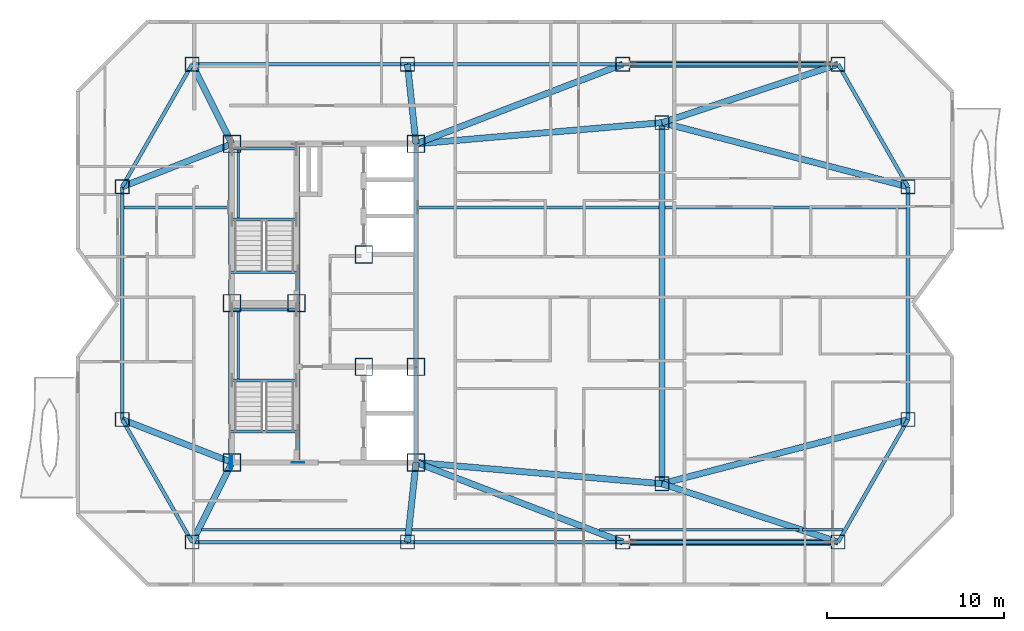
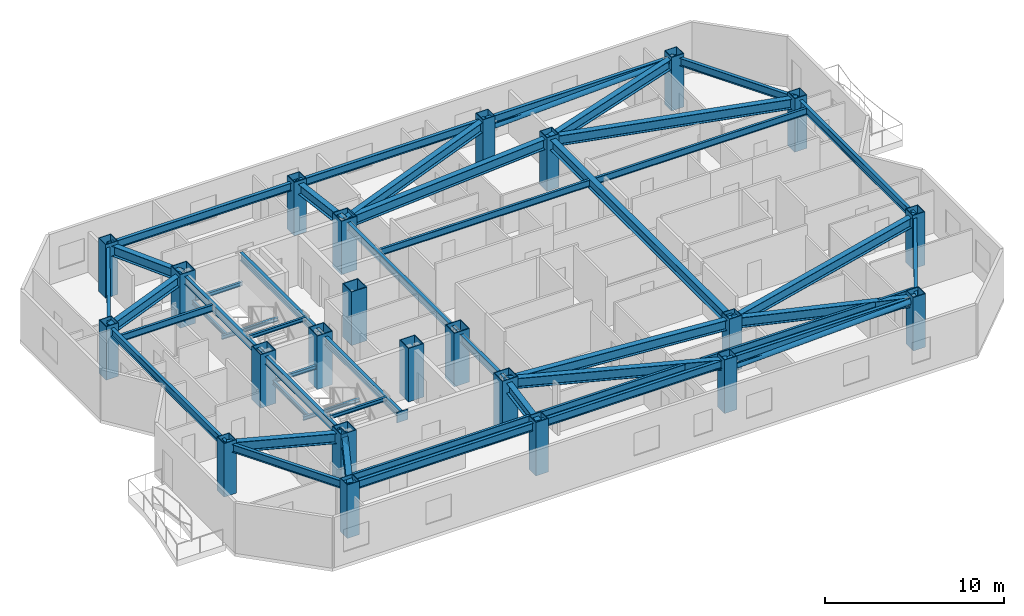
# One storey, part 1 of 10: 48 beams, 23 columns, 3 plates, 2 members.
"""IFC4 building model written with IfcOpenShell, lengths in metres."""

from ifc_helpers import new_model, si_unit, direction, frame, origin, origin_2d, place, context, subcontext, project, spatial, rectangle, hollow_rectangle, hollow_circle, i_section, extrude, material, layer, layer_set, material_profile, profile_set, type_object, element, save


model = new_model("IFC4")

# Units and contexts
model_context = context("Model", 3, precision=1e-05, world=origin(), true_north=direction((0.0, 1.0)))
body_context = subcontext(model_context, "Body", "Model", "MODEL_VIEW")
ifc_project = project(units=[si_unit("LENGTHUNIT", "METRE"), si_unit("AREAUNIT", "SQUARE_METRE"), si_unit("VOLUMEUNIT", "CUBIC_METRE"), si_unit("PLANEANGLEUNIT", "RADIAN"), si_unit("MASSUNIT", "GRAM", prefix="KILO")], contexts=[model_context])

# Site, building, storey
site_placement = place(None, origin())
site = spatial("IfcSite", under=ifc_project, at=site_placement, CompositionType="ELEMENT")
building_placement = place(site_placement, origin())
building = spatial("IfcBuilding", under=site, at=building_placement, Name="Khamvora Tower", CompositionType="ELEMENT")
storey_placement = place(building_placement, frame((0.0, 0.0, 250.050048828125)))
storey = spatial("IfcBuildingStorey", under=building, at=storey_placement, Name="L64", CompositionType="ELEMENT", Elevation=250.050048828125)

# Columns
ifc_material_1 = material(Name="Steel S355", Category="steel")
ifc_material_profile_1 = material_profile(ifc_material_1, hollow_rectangle(XDim=0.800048828125, YDim=0.800048828125, WallThickness=0.0400390625, at=origin_2d()), Name="BOX800x800x40")
ifc_profile_set_1 = profile_set([ifc_material_profile_1], Name="Steel S355")
column_type_1 = type_object("IfcColumnType", Name="COL-BOX800", PredefinedType="COLUMN", material=ifc_profile_set_1)
for number, where, z_axis, x_axis, name in (
    (1, (26.75, 14.5, 0.0), (0.0, 0.0, 1.0), (1.0, 0.0, 0.0), "L64 structural frame column S1"),
    (2, (38.9169921875, 14.5, 0.0), (0.0, 0.0, 1.0), (1.0, 0.0, 0.0), "L64 structural frame column S2"),
    (3, (51.0830078125, 14.5, 0.0), (0.0, 0.0, 1.0), (1.0, 0.0, 0.0), "L64 structural frame column S3"),
    (4, (63.25, 14.5, 0.0), (0.0, 0.0, 1.0), (1.0, 0.0, 0.0), "L64 structural frame column S4"),
    (5, (26.75, 41.5, 0.0), (0.0, 0.0, 1.0), (1.0, 0.0, 0.0), "L64 structural frame column N1"),
    (6, (38.9169921875, 41.5, 0.0), (0.0, 0.0, 1.0), (1.0, 0.0, 0.0), "L64 structural frame column N2"),
    (7, (51.0830078125, 41.5, 0.0), (0.0, 0.0, 1.0), (1.0, 0.0, 0.0), "L64 structural frame column N3"),
    (8, (63.25, 41.5, 0.0), (0.0, 0.0, 1.0), (1.0, 0.0, 0.0), "L64 structural frame column N4"),
    (9, (22.800048828125, 21.425048828125, 0.0), (0.0, 0.0, 1.0), (1.0, 0.0, 0.0), "L64 structural frame column W1"),
    (10, (22.800048828125, 34.574951171875, 0.0), (0.0, 0.0, 1.0), (1.0, 0.0, 0.0), "L64 structural frame column W2"),
    (11, (67.199951171875, 21.425048828125, 0.0), (0.0, 0.0, 1.0), (1.0, 0.0, 0.0), "L64 structural frame column E1"),
    (12, (67.199951171875, 34.574951171875, 0.0), (0.0, 0.0, 1.0), (1.0, 0.0, 0.0), "L64 structural frame column E2"),
    (13, (53.300048828125, 17.800048828125, 0.0), (0.0, 0.0, 1.0), (1.0, 0.0, 0.0), "L64 structural frame column M1"),
    (14, (53.300048828125, 38.199951171875, 0.0), (0.0, 0.0, 1.0), (1.0, 0.0, 0.0), "L64 structural frame column M2"),
):
    element("IfcColumn", number, at=place(storey_placement, frame(where, z_axis=z_axis, x_axis=x_axis)), inside=storey, type_object=column_type_1, Name=name, PredefinedType="COLUMN", context=body_context, shape_type="SweptSolid", body=[
        extrude(hollow_rectangle(XDim=0.800048828125, YDim=0.800048828125, WallThickness=0.0400390625, at=origin_2d()), origin(), (0.0, 0.0, 1.0), 3.64990234375),
    ])
ifc_material_2 = material(Name="Structural Steel S460ML", Category="steel")
ifc_material_profile_2 = material_profile(ifc_material_2, hollow_rectangle(XDim=1.0, YDim=1.0, WallThickness=0.050048828125, at=origin_2d()), Name="BOX1000x1000x50")
ifc_profile_set_2 = profile_set([ifc_material_profile_2], Name="Structural Steel S460ML")
column_type_2 = type_object("IfcColumnType", Name="COL-SC-BOX1000", PredefinedType="COLUMN", material=ifc_profile_set_2)
for number, where, z_axis, x_axis, name in (
    (15, (29.0, 19.0, 0.0), (0.0, 0.0, 1.0), (1.0, 0.0, 0.0), "L64 plumb core spine column SC1"),
    (16, (32.64990234375, 28.0, 0.0), (0.0, 0.0, 1.0), (1.0, 0.0, 0.0), "L64 plumb core spine column SC2"),
    (17, (39.39990234375, 19.0, 0.0), (0.0, 0.0, 1.0), (1.0, 0.0, 0.0), "L64 plumb core spine column SC3"),
    (18, (29.0, 28.0, 0.0), (0.0, 0.0, 1.0), (1.0, 0.0, 0.0), "L64 plumb core spine column SC4"),
    (19, (36.449951171875, 24.39990234375, 0.0), (0.0, 0.0, 1.0), (1.0, 0.0, 0.0), "L64 plumb core spine column SC5"),
    (20, (39.39990234375, 24.39990234375, 0.0), (0.0, 0.0, 1.0), (1.0, 0.0, 0.0), "L64 plumb core spine column SC6"),
    (21, (29.0, 37.0, 0.0), (0.0, 0.0, 1.0), (1.0, 0.0, 0.0), "L64 plumb core spine column SC7"),
    (22, (36.449951171875, 30.75, 0.0), (0.0, 0.0, 1.0), (1.0, 0.0, 0.0), "L64 plumb core spine column SC8"),
    (23, (39.39990234375, 37.0, 0.0), (0.0, 0.0, 1.0), (1.0, 0.0, 0.0), "L64 plumb core spine column SC9"),
):
    element("IfcColumn", number, at=place(storey_placement, frame(where, z_axis=z_axis, x_axis=x_axis)), inside=storey, type_object=column_type_2, Name=name, PredefinedType="COLUMN", context=body_context, shape_type="SweptSolid", body=[
        extrude(hollow_rectangle(XDim=1.0, YDim=1.0, WallThickness=0.050048828125, at=origin_2d()), origin(), (0.0, 0.0, 1.0), 3.64990234375),
    ])

# Beams
ifc_material_profile_3 = material_profile(ifc_material_1, i_section(OverallWidth=0.154052734375, OverallDepth=0.458984375, WebThickness=0.009033203125, FlangeThickness=0.014892578125, FilletRadius=0.011962890625, at=origin_2d()), Name="W460x68")
ifc_profile_set_3 = profile_set([ifc_material_profile_3], Name="Steel S355")
beam_type_1 = type_object("IfcBeamType", Name="BM-JS-W460x68", PredefinedType="JOIST", material=ifc_profile_set_3)
beam_1_placement = place(storey_placement, frame((27.29296875, 15.199951171875, 3.199951171875), z_axis=(1.0, 0.0, 0.0), x_axis=(0.0, 1.0, 0.0)))
element("IfcBeam", 24, at=beam_1_placement, inside=storey, type_object=beam_type_1, Name="L64 secondary floor joist 01", PredefinedType="JOIST", context=body_context, shape_type="SweptSolid", body=[
    extrude(i_section(OverallWidth=0.154052734375, OverallDepth=0.458984375, WebThickness=0.009033203125, FlangeThickness=0.014892578125, FilletRadius=0.011962890625, at=origin_2d()), origin(), (0.0, 0.0, 1.0), 11.526123046875),
])
beam_2_placement = place(storey_placement, frame((39.166015625, 15.199951171875, 3.199951171875), z_axis=(1.0, 0.0, 0.0), x_axis=(0.0, 1.0, 0.0)))
element("IfcBeam", 25, at=beam_2_placement, inside=storey, type_object=beam_type_1, Name="L64 secondary floor joist 02", PredefinedType="JOIST", context=body_context, shape_type="SweptSolid", body=[
    extrude(i_section(OverallWidth=0.154052734375, OverallDepth=0.458984375, WebThickness=0.009033203125, FlangeThickness=0.014892578125, FilletRadius=0.011962890625, at=origin_2d()), origin(), (0.0, 0.0, 1.0), 9.611083984375),
])
beam_3_placement = place(storey_placement, frame((49.75390625, 15.199951171875, 3.199951171875), z_axis=(1.0, 0.0, 0.0), x_axis=(0.0, 1.0, 0.0)))
element("IfcBeam", 26, at=beam_3_placement, inside=storey, type_object=beam_type_1, Name="L64 secondary floor joist 03", PredefinedType="JOIST", context=body_context, shape_type="SweptSolid", body=[
    extrude(i_section(OverallWidth=0.154052734375, OverallDepth=0.458984375, WebThickness=0.009033203125, FlangeThickness=0.014892578125, FilletRadius=0.011962890625, at=origin_2d()), origin(), (0.0, 0.0, 1.0), 11.2900390625),
])
beam_4_placement = place(storey_placement, frame((61.23388671875, 15.199951171875, 3.199951171875), z_axis=(1.0, 0.0, 0.0), x_axis=(0.0, 1.0, 0.0)))
element("IfcBeam", 27, at=beam_4_placement, inside=storey, type_object=beam_type_1, Name="L64 secondary floor joist 04", PredefinedType="JOIST", context=body_context, shape_type="SweptSolid", body=[
    extrude(i_section(OverallWidth=0.154052734375, OverallDepth=0.458984375, WebThickness=0.009033203125, FlangeThickness=0.014892578125, FilletRadius=0.011962890625, at=origin_2d()), origin(), (0.0, 0.0, 1.0), 2.300048828125),
])
beam_5_placement = place(storey_placement, frame((22.89892578125, 33.39990234375, 3.199951171875), z_axis=(1.0, 0.0, 0.0), x_axis=(0.0, 1.0, 0.0)))
element("IfcBeam", 28, at=beam_5_placement, inside=storey, type_object=beam_type_1, Name="L64 secondary floor joist 05", PredefinedType="JOIST", context=body_context, shape_type="SweptSolid", body=[
    extrude(i_section(OverallWidth=0.154052734375, OverallDepth=0.458984375, WebThickness=0.009033203125, FlangeThickness=0.014892578125, FilletRadius=0.011962890625, at=origin_2d()), origin(), (0.0, 0.0, 1.0), 5.901123046875),
])
beam_6_placement = place(storey_placement, frame((39.4990234375, 33.39990234375, 3.199951171875), z_axis=(1.0, 0.0, 0.0), x_axis=(0.0, 1.0, 0.0)))
element("IfcBeam", 29, at=beam_6_placement, inside=storey, type_object=beam_type_1, Name="L64 secondary floor joist 06", PredefinedType="JOIST", context=body_context, shape_type="SweptSolid", body=[
    extrude(i_section(OverallWidth=0.154052734375, OverallDepth=0.458984375, WebThickness=0.009033203125, FlangeThickness=0.014892578125, FilletRadius=0.011962890625, at=origin_2d()), origin(), (0.0, 0.0, 1.0), 13.6279296875),
])
beam_7_placement = place(storey_placement, frame((53.471923828125, 33.39990234375, 3.199951171875), z_axis=(1.0, 0.0, 0.0), x_axis=(0.0, 1.0, 0.0)))
element("IfcBeam", 30, at=beam_7_placement, inside=storey, type_object=beam_type_1, Name="L64 secondary floor joist 07", PredefinedType="JOIST", context=body_context, shape_type="SweptSolid", body=[
    extrude(i_section(OverallWidth=0.154052734375, OverallDepth=0.458984375, WebThickness=0.009033203125, FlangeThickness=0.014892578125, FilletRadius=0.011962890625, at=origin_2d()), origin(), (0.0, 0.0, 1.0), 13.628173828125),
])
ifc_material_profile_4 = material_profile(ifc_material_1, i_section(OverallWidth=0.14697265625, OverallDepth=0.261962890625, WebThickness=0.007080078125, FlangeThickness=0.010986328125, FilletRadius=0.008056640625, at=origin_2d()), Name="W250x39")
ifc_profile_set_4 = profile_set([ifc_material_profile_4], Name="Steel S355")
beam_type_2 = type_object("IfcBeamType", Name="BM-LN-W250x39", PredefinedType="LINTEL", material=ifc_profile_set_4)
for number, where, z_axis, x_axis, name in (
    (31, (29.0, 23.635009765625, 1.493896484375), (1.0, 0.0, 0.0), (0.0, 1.0, 0.0), "L64 ST-01 half-landing support beam 1.1"),
    (32, (29.0, 27.6298828125, 1.493896484375), (1.0, 0.0, 0.0), (0.0, 1.0, 0.0), "L64 ST-01 half-landing support beam 1.2"),
):
    element("IfcBeam", number, at=place(storey_placement, frame(where, z_axis=z_axis, x_axis=x_axis)), inside=storey, type_object=beam_type_2, Name=name, PredefinedType="LINTEL", context=body_context, shape_type="SweptSolid", body=[
        extrude(i_section(OverallWidth=0.14697265625, OverallDepth=0.261962890625, WebThickness=0.007080078125, FlangeThickness=0.010986328125, FilletRadius=0.008056640625, at=origin_2d()), origin(), (0.0, 0.0, 1.0), 3.64990234375),
    ])
beam_8_placement = place(storey_placement, frame((29.35009765625, 23.635009765625, 1.493896484375), z_axis=(0.0, 1.0, 0.0), x_axis=(-1.0, 0.0, 0.0)))
element("IfcBeam", 33, at=beam_8_placement, inside=storey, type_object=beam_type_2, Name="L64 ST-01 half-landing edge stringer 1", PredefinedType="LINTEL", context=body_context, shape_type="SweptSolid", body=[
    extrude(i_section(OverallWidth=0.14697265625, OverallDepth=0.261962890625, WebThickness=0.007080078125, FlangeThickness=0.010986328125, FilletRadius=0.008056640625, at=origin_2d()), origin(), (0.0, 0.0, 1.0), 3.994873046875),
])
for number, where, z_axis, x_axis, name in (
    (34, (29.0, 32.735107421875, 1.493896484375), (1.0, 0.0, 0.0), (0.0, 1.0, 0.0), "L64 ST-02 half-landing support beam 1.1"),
    (35, (29.0, 36.72998046875, 1.493896484375), (1.0, 0.0, 0.0), (0.0, 1.0, 0.0), "L64 ST-02 half-landing support beam 1.2"),
):
    element("IfcBeam", number, at=place(storey_placement, frame(where, z_axis=z_axis, x_axis=x_axis)), inside=storey, type_object=beam_type_2, Name=name, PredefinedType="LINTEL", context=body_context, shape_type="SweptSolid", body=[
        extrude(i_section(OverallWidth=0.14697265625, OverallDepth=0.261962890625, WebThickness=0.007080078125, FlangeThickness=0.010986328125, FilletRadius=0.008056640625, at=origin_2d()), origin(), (0.0, 0.0, 1.0), 3.64990234375),
    ])
beam_9_placement = place(storey_placement, frame((29.35009765625, 32.735107421875, 1.493896484375), z_axis=(0.0, 1.0, 0.0), x_axis=(-1.0, 0.0, 0.0)))
element("IfcBeam", 36, at=beam_9_placement, inside=storey, type_object=beam_type_2, Name="L64 ST-02 half-landing edge stringer 1", PredefinedType="LINTEL", context=body_context, shape_type="SweptSolid", body=[
    extrude(i_section(OverallWidth=0.14697265625, OverallDepth=0.261962890625, WebThickness=0.007080078125, FlangeThickness=0.010986328125, FilletRadius=0.008056640625, at=origin_2d()), origin(), (0.0, 0.0, 1.0), 3.994873046875),
])
for number, where, z_axis, x_axis, name in (
    (37, (28.89990234375, 20.75, 3.303955078125), (1.0, 0.0, 0.0), (0.0, 1.0, 0.0), "L64 exit stair ST-01 landing trimmer beam"),
    (38, (28.89990234375, 29.75, 3.303955078125), (1.0, 0.0, 0.0), (0.0, 1.0, 0.0), "L64 exit stair ST-02 landing trimmer beam"),
):
    element("IfcBeam", number, at=place(storey_placement, frame(where, z_axis=z_axis, x_axis=x_axis)), inside=storey, type_object=beam_type_2, Name=name, PredefinedType="LINTEL", context=body_context, shape_type="SweptSolid", body=[
        extrude(i_section(OverallWidth=0.14697265625, OverallDepth=0.261962890625, WebThickness=0.007080078125, FlangeThickness=0.010986328125, FilletRadius=0.008056640625, at=origin_2d()), origin(), (0.0, 0.0, 1.0), 3.830078125),
    ])
ifc_material_profile_5 = material_profile(ifc_material_1, i_section(OverallWidth=0.35498046875, OverallDepth=0.695068359375, WebThickness=0.014892578125, FlangeThickness=0.02490234375, FilletRadius=0.01611328125, at=origin_2d()), Name="W690x217")
ifc_profile_set_5 = profile_set([ifc_material_profile_5], Name="Steel S355")
beam_type_3 = type_object("IfcBeamType", Name="BM-PG-W690x217", PredefinedType="BEAM", material=ifc_profile_set_5)
beam_10_placement = place(storey_placement, frame((53.300048828125, 17.800048828125, 3.08203125), z_axis=(0.0, 1.0, 0.0), x_axis=(-1.0, 0.0, 0.0)))
element("IfcBeam", 39, at=beam_10_placement, inside=storey, type_object=beam_type_3, Name="L64 longitudinal frame girder M1-M2", PredefinedType="BEAM", context=body_context, shape_type="SweptSolid", body=[
    extrude(i_section(OverallWidth=0.35498046875, OverallDepth=0.695068359375, WebThickness=0.014892578125, FlangeThickness=0.02490234375, FilletRadius=0.01611328125, at=origin_2d()), origin(), (0.0, 0.0, 1.0), 20.39990234375),
])
beam_11_placement = place(storey_placement, frame((29.0, 19.0, 3.08203125), z_axis=(-0.4472135955, -0.894427191, 0.0), x_axis=(0.894427191, -0.4472135955, 0.0)))
element("IfcBeam", 40, at=beam_11_placement, inside=storey, type_object=beam_type_3, Name="L64 primary floor girder S1", PredefinedType="BEAM", context=body_context, shape_type="SweptSolid", body=[
    extrude(i_section(OverallWidth=0.35498046875, OverallDepth=0.695068359375, WebThickness=0.014892578125, FlangeThickness=0.02490234375, FilletRadius=0.01611328125, at=origin_2d()), origin(), (0.0, 0.0, 1.0), 5.03125),
])
beam_12_placement = place(storey_placement, frame((39.39990234375, 19.0, 3.08203125), z_axis=(-0.106700735484, -0.994291181218, 0.0), x_axis=(0.994291181218, -0.106700735484, 0.0)))
element("IfcBeam", 41, at=beam_12_placement, inside=storey, type_object=beam_type_3, Name="L64 primary floor girder S2", PredefinedType="BEAM", context=body_context, shape_type="SweptSolid", body=[
    extrude(i_section(OverallWidth=0.35498046875, OverallDepth=0.695068359375, WebThickness=0.014892578125, FlangeThickness=0.02490234375, FilletRadius=0.01611328125, at=origin_2d()), origin(), (0.0, 0.0, 1.0), 4.52587890625),
])
beam_13_placement = place(storey_placement, frame((39.39990234375, 19.0, 3.08203125), z_axis=(0.933171601475, -0.359431164759, 0.0), x_axis=(0.359431164759, 0.933171601475, 0.0)))
element("IfcBeam", 42, at=beam_13_placement, inside=storey, type_object=beam_type_3, Name="L64 primary floor girder S3", PredefinedType="BEAM", context=body_context, shape_type="SweptSolid", body=[
    extrude(i_section(OverallWidth=0.35498046875, OverallDepth=0.695068359375, WebThickness=0.014892578125, FlangeThickness=0.02490234375, FilletRadius=0.01611328125, at=origin_2d()), origin(), (0.0, 0.0, 1.0), 12.519775390625),
])
beam_14_placement = place(storey_placement, frame((53.300048828125, 17.800048828125, 3.08203125), z_axis=(0.949157330029, -0.314802101092, 0.0), x_axis=(0.314802101092, 0.949157330029, 0.0)))
element("IfcBeam", 43, at=beam_14_placement, inside=storey, type_object=beam_type_3, Name="L64 primary floor girder S4", PredefinedType="BEAM", context=body_context, shape_type="SweptSolid", body=[
    extrude(i_section(OverallWidth=0.35498046875, OverallDepth=0.695068359375, WebThickness=0.014892578125, FlangeThickness=0.02490234375, FilletRadius=0.01611328125, at=origin_2d()), origin(), (0.0, 0.0, 1.0), 10.48291015625),
])
beam_15_placement = place(storey_placement, frame((29.0, 37.0, 3.08203125), z_axis=(-0.4472135955, 0.894427191, 0.0), x_axis=(-0.894427191, -0.4472135955, 0.0)))
element("IfcBeam", 44, at=beam_15_placement, inside=storey, type_object=beam_type_3, Name="L64 primary floor girder N1", PredefinedType="BEAM", context=body_context, shape_type="SweptSolid", body=[
    extrude(i_section(OverallWidth=0.35498046875, OverallDepth=0.695068359375, WebThickness=0.014892578125, FlangeThickness=0.02490234375, FilletRadius=0.01611328125, at=origin_2d()), origin(), (0.0, 0.0, 1.0), 5.03125),
])
beam_16_placement = place(storey_placement, frame((39.39990234375, 37.0, 3.08203125), z_axis=(-0.106700735484, 0.994291181218, 0.0), x_axis=(-0.994291181218, -0.106700735484, 0.0)))
element("IfcBeam", 45, at=beam_16_placement, inside=storey, type_object=beam_type_3, Name="L64 primary floor girder N2", PredefinedType="BEAM", context=body_context, shape_type="SweptSolid", body=[
    extrude(i_section(OverallWidth=0.35498046875, OverallDepth=0.695068359375, WebThickness=0.014892578125, FlangeThickness=0.02490234375, FilletRadius=0.01611328125, at=origin_2d()), origin(), (0.0, 0.0, 1.0), 4.52587890625),
])
beam_17_placement = place(storey_placement, frame((39.39990234375, 37.0, 3.08203125), z_axis=(0.933171601475, 0.359431164759, 0.0), x_axis=(-0.359431164759, 0.933171601475, 0.0)))
element("IfcBeam", 46, at=beam_17_placement, inside=storey, type_object=beam_type_3, Name="L64 primary floor girder N3", PredefinedType="BEAM", context=body_context, shape_type="SweptSolid", body=[
    extrude(i_section(OverallWidth=0.35498046875, OverallDepth=0.695068359375, WebThickness=0.014892578125, FlangeThickness=0.02490234375, FilletRadius=0.01611328125, at=origin_2d()), origin(), (0.0, 0.0, 1.0), 12.519775390625),
])
beam_18_placement = place(storey_placement, frame((53.300048828125, 38.199951171875, 3.08203125), z_axis=(0.949157330029, 0.314802101092, 0.0), x_axis=(-0.314802101092, 0.949157330029, 0.0)))
element("IfcBeam", 47, at=beam_18_placement, inside=storey, type_object=beam_type_3, Name="L64 primary floor girder N4", PredefinedType="BEAM", context=body_context, shape_type="SweptSolid", body=[
    extrude(i_section(OverallWidth=0.35498046875, OverallDepth=0.695068359375, WebThickness=0.014892578125, FlangeThickness=0.02490234375, FilletRadius=0.01611328125, at=origin_2d()), origin(), (0.0, 0.0, 1.0), 10.48291015625),
])
for number, where, z_axis, x_axis, name in (
    (48, (29.0, 19.0, 3.08203125), (-0.931294712743, 0.36426660294, 0.0), (-0.36426660294, -0.931294712743, 0.0), "L64 primary floor girder W1"),
    (49, (29.0, 37.0, 3.08203125), (-0.931294712743, -0.36426660294, 0.0), (0.36426660294, -0.931294712743, 0.0), "L64 primary floor girder W2"),
):
    element("IfcBeam", number, at=place(storey_placement, frame(where, z_axis=z_axis, x_axis=x_axis)), inside=storey, type_object=beam_type_3, Name=name, PredefinedType="BEAM", context=body_context, shape_type="SweptSolid", body=[
        extrude(i_section(OverallWidth=0.35498046875, OverallDepth=0.695068359375, WebThickness=0.014892578125, FlangeThickness=0.02490234375, FilletRadius=0.01611328125, at=origin_2d()), origin(), (0.0, 0.0, 1.0), 6.6572265625),
    ])
for number, where, z_axis, x_axis, name in (
    (50, (53.300048828125, 17.800048828125, 3.08203125), (0.967635318494, 0.252352710314, 0.0), (-0.252352710314, 0.967635318494, 0.0), "L64 primary floor girder E1"),
    (51, (53.300048828125, 38.199951171875, 3.08203125), (0.967635318494, -0.252352710314, 0.0), (0.252352710314, 0.967635318494, 0.0), "L64 primary floor girder E2"),
):
    element("IfcBeam", number, at=place(storey_placement, frame(where, z_axis=z_axis, x_axis=x_axis)), inside=storey, type_object=beam_type_3, Name=name, PredefinedType="BEAM", context=body_context, shape_type="SweptSolid", body=[
        extrude(i_section(OverallWidth=0.35498046875, OverallDepth=0.695068359375, WebThickness=0.014892578125, FlangeThickness=0.02490234375, FilletRadius=0.01611328125, at=origin_2d()), origin(), (0.0, 0.0, 1.0), 14.36474609375),
    ])
for number, where, z_axis, x_axis, name in (
    (52, (39.39990234375, 19.0, 3.08203125), (0.996294564212, -0.08600663534, 0.0), (0.08600663534, 0.996294564212, 0.0), "L64 primary floor girder M1"),
    (53, (39.39990234375, 37.0, 3.08203125), (0.996294564212, 0.08600663534, 0.0), (-0.08600663534, 0.996294564212, 0.0), "L64 primary floor girder M2"),
):
    element("IfcBeam", number, at=place(storey_placement, frame(where, z_axis=z_axis, x_axis=x_axis)), inside=storey, type_object=beam_type_3, Name=name, PredefinedType="BEAM", context=body_context, shape_type="SweptSolid", body=[
        extrude(i_section(OverallWidth=0.35498046875, OverallDepth=0.695068359375, WebThickness=0.014892578125, FlangeThickness=0.02490234375, FilletRadius=0.01611328125, at=origin_2d()), origin(), (0.0, 0.0, 1.0), 13.951904296875),
    ])
ifc_material_profile_6 = material_profile(ifc_material_1, i_section(OverallWidth=0.208984375, OverallDepth=0.532958984375, WebThickness=0.010009765625, FlangeThickness=0.01611328125, FilletRadius=0.013916015625, at=origin_2d()), Name="W530x92")
ifc_profile_set_6 = profile_set([ifc_material_profile_6], Name="Steel S355")
beam_type_4 = type_object("IfcBeamType", Name="BM-SP-W530x92", PredefinedType="SPANDREL", material=ifc_profile_set_6)
beam_19_placement = place(storey_placement, frame((22.800048828125, 21.425048828125, 3.162841796875), z_axis=(0.495456118564, -0.868632968853, 0.0), x_axis=(0.868632968853, 0.495456118564, 0.0)))
element("IfcBeam", 54, at=beam_19_placement, inside=storey, type_object=beam_type_4, Name="L64 perimeter spandrel beam W1-S1", PredefinedType="SPANDREL", context=body_context, shape_type="SweptSolid", body=[
    extrude(i_section(OverallWidth=0.208984375, OverallDepth=0.532958984375, WebThickness=0.010009765625, FlangeThickness=0.01611328125, FilletRadius=0.013916015625, at=origin_2d()), origin(), (0.0, 0.0, 1.0), 7.972412109375),
])
beam_20_placement = place(storey_placement, frame((26.75, 14.5, 3.162841796875), z_axis=(1.0, 0.0, 0.0), x_axis=(0.0, 1.0, 0.0)))
element("IfcBeam", 55, at=beam_20_placement, inside=storey, type_object=beam_type_4, Name="L64 perimeter spandrel beam S1-S2", PredefinedType="SPANDREL", context=body_context, shape_type="SweptSolid", body=[
    extrude(i_section(OverallWidth=0.208984375, OverallDepth=0.532958984375, WebThickness=0.010009765625, FlangeThickness=0.01611328125, FilletRadius=0.013916015625, at=origin_2d()), origin(), (0.0, 0.0, 1.0), 12.1669921875),
])
beam_21_placement = place(storey_placement, frame((38.9169921875, 14.5, 3.162841796875), z_axis=(1.0, 0.0, 0.0), x_axis=(0.0, 1.0, 0.0)))
element("IfcBeam", 56, at=beam_21_placement, inside=storey, type_object=beam_type_4, Name="L64 perimeter spandrel beam S2-S3", PredefinedType="SPANDREL", context=body_context, shape_type="SweptSolid", body=[
    extrude(i_section(OverallWidth=0.208984375, OverallDepth=0.532958984375, WebThickness=0.010009765625, FlangeThickness=0.01611328125, FilletRadius=0.013916015625, at=origin_2d()), origin(), (0.0, 0.0, 1.0), 12.166015625),
])
beam_22_placement = place(storey_placement, frame((51.0830078125, 14.5, 3.162841796875), z_axis=(1.0, 0.0, 0.0), x_axis=(0.0, 1.0, 0.0)))
element("IfcBeam", 57, at=beam_22_placement, inside=storey, type_object=beam_type_4, Name="L64 perimeter spandrel beam S3-S4", PredefinedType="SPANDREL", context=body_context, shape_type="SweptSolid", body=[
    extrude(i_section(OverallWidth=0.208984375, OverallDepth=0.532958984375, WebThickness=0.010009765625, FlangeThickness=0.01611328125, FilletRadius=0.013916015625, at=origin_2d()), origin(), (0.0, 0.0, 1.0), 12.1669921875),
])
beam_23_placement = place(storey_placement, frame((63.25, 14.5, 3.162841796875), z_axis=(0.495456118564, 0.868632968853, 0.0), x_axis=(-0.868632968853, 0.495456118564, 0.0)))
element("IfcBeam", 58, at=beam_23_placement, inside=storey, type_object=beam_type_4, Name="L64 perimeter spandrel beam S4-E1", PredefinedType="SPANDREL", context=body_context, shape_type="SweptSolid", body=[
    extrude(i_section(OverallWidth=0.208984375, OverallDepth=0.532958984375, WebThickness=0.010009765625, FlangeThickness=0.01611328125, FilletRadius=0.013916015625, at=origin_2d()), origin(), (0.0, 0.0, 1.0), 7.972412109375),
])
beam_24_placement = place(storey_placement, frame((67.199951171875, 21.425048828125, 3.162841796875), z_axis=(0.0, 1.0, 0.0), x_axis=(-1.0, 0.0, 0.0)))
element("IfcBeam", 59, at=beam_24_placement, inside=storey, type_object=beam_type_4, Name="L64 perimeter spandrel beam E1-E2", PredefinedType="SPANDREL", context=body_context, shape_type="SweptSolid", body=[
    extrude(i_section(OverallWidth=0.208984375, OverallDepth=0.532958984375, WebThickness=0.010009765625, FlangeThickness=0.01611328125, FilletRadius=0.013916015625, at=origin_2d()), origin(), (0.0, 0.0, 1.0), 13.14990234375),
])
beam_25_placement = place(storey_placement, frame((67.199951171875, 34.574951171875, 3.162841796875), z_axis=(-0.495456118564, 0.868632968853, 0.0), x_axis=(-0.868632968853, -0.495456118564, 0.0)))
element("IfcBeam", 60, at=beam_25_placement, inside=storey, type_object=beam_type_4, Name="L64 perimeter spandrel beam E2-N4", PredefinedType="SPANDREL", context=body_context, shape_type="SweptSolid", body=[
    extrude(i_section(OverallWidth=0.208984375, OverallDepth=0.532958984375, WebThickness=0.010009765625, FlangeThickness=0.01611328125, FilletRadius=0.013916015625, at=origin_2d()), origin(), (0.0, 0.0, 1.0), 7.972412109375),
])
beam_26_placement = place(storey_placement, frame((63.25, 41.5, 3.162841796875), z_axis=(-1.0, 0.0, 0.0), x_axis=(0.0, -1.0, 0.0)))
element("IfcBeam", 61, at=beam_26_placement, inside=storey, type_object=beam_type_4, Name="L64 perimeter spandrel beam N4-N3", PredefinedType="SPANDREL", context=body_context, shape_type="SweptSolid", body=[
    extrude(i_section(OverallWidth=0.208984375, OverallDepth=0.532958984375, WebThickness=0.010009765625, FlangeThickness=0.01611328125, FilletRadius=0.013916015625, at=origin_2d()), origin(), (0.0, 0.0, 1.0), 12.1669921875),
])
beam_27_placement = place(storey_placement, frame((51.0830078125, 41.5, 3.162841796875), z_axis=(-1.0, 0.0, 0.0), x_axis=(0.0, -1.0, 0.0)))
element("IfcBeam", 62, at=beam_27_placement, inside=storey, type_object=beam_type_4, Name="L64 perimeter spandrel beam N3-N2", PredefinedType="SPANDREL", context=body_context, shape_type="SweptSolid", body=[
    extrude(i_section(OverallWidth=0.208984375, OverallDepth=0.532958984375, WebThickness=0.010009765625, FlangeThickness=0.01611328125, FilletRadius=0.013916015625, at=origin_2d()), origin(), (0.0, 0.0, 1.0), 12.166015625),
])
beam_28_placement = place(storey_placement, frame((38.9169921875, 41.5, 3.162841796875), z_axis=(-1.0, 0.0, 0.0), x_axis=(0.0, -1.0, 0.0)))
element("IfcBeam", 63, at=beam_28_placement, inside=storey, type_object=beam_type_4, Name="L64 perimeter spandrel beam N2-N1", PredefinedType="SPANDREL", context=body_context, shape_type="SweptSolid", body=[
    extrude(i_section(OverallWidth=0.208984375, OverallDepth=0.532958984375, WebThickness=0.010009765625, FlangeThickness=0.01611328125, FilletRadius=0.013916015625, at=origin_2d()), origin(), (0.0, 0.0, 1.0), 12.1669921875),
])
beam_29_placement = place(storey_placement, frame((26.75, 41.5, 3.162841796875), z_axis=(-0.495456118564, -0.868632968853, 0.0), x_axis=(0.868632968853, -0.495456118564, 0.0)))
element("IfcBeam", 64, at=beam_29_placement, inside=storey, type_object=beam_type_4, Name="L64 perimeter spandrel beam N1-W2", PredefinedType="SPANDREL", context=body_context, shape_type="SweptSolid", body=[
    extrude(i_section(OverallWidth=0.208984375, OverallDepth=0.532958984375, WebThickness=0.010009765625, FlangeThickness=0.01611328125, FilletRadius=0.013916015625, at=origin_2d()), origin(), (0.0, 0.0, 1.0), 7.972412109375),
])
beam_30_placement = place(storey_placement, frame((22.800048828125, 34.574951171875, 3.162841796875), z_axis=(0.0, -1.0, 0.0), x_axis=(1.0, 0.0, 0.0)))
element("IfcBeam", 65, at=beam_30_placement, inside=storey, type_object=beam_type_4, Name="L64 perimeter spandrel beam W2-W1", PredefinedType="SPANDREL", context=body_context, shape_type="SweptSolid", body=[
    extrude(i_section(OverallWidth=0.208984375, OverallDepth=0.532958984375, WebThickness=0.010009765625, FlangeThickness=0.01611328125, FilletRadius=0.013916015625, at=origin_2d()), origin(), (0.0, 0.0, 1.0), 13.14990234375),
])
for number, where, z_axis, x_axis, name in (
    (66, (28.89990234375, 19.0, 3.162841796875), (0.0, 1.0, 0.0), (-1.0, 0.0, 0.0), "L64 core spine girder WS"),
    (67, (28.89990234375, 28.0, 3.162841796875), (0.0, 1.0, 0.0), (-1.0, 0.0, 0.0), "L64 core spine girder WN"),
    (68, (32.72998046875, 19.0, 3.162841796875), (0.0, 1.0, 0.0), (-1.0, 0.0, 0.0), "L64 core spine girder M1S"),
    (69, (32.72998046875, 28.0, 3.162841796875), (0.0, 1.0, 0.0), (-1.0, 0.0, 0.0), "L64 core spine girder M1N"),
):
    element("IfcBeam", number, at=place(storey_placement, frame(where, z_axis=z_axis, x_axis=x_axis)), inside=storey, type_object=beam_type_4, Name=name, PredefinedType="SPANDREL", context=body_context, shape_type="SweptSolid", body=[
        extrude(i_section(OverallWidth=0.208984375, OverallDepth=0.532958984375, WebThickness=0.010009765625, FlangeThickness=0.01611328125, FilletRadius=0.013916015625, at=origin_2d()), origin(), (0.0, 0.0, 1.0), 9.0),
    ])
beam_31_placement = place(storey_placement, frame((39.39990234375, 19.0, 3.162841796875), z_axis=(0.0, 1.0, 0.0), x_axis=(-1.0, 0.0, 0.0)))
element("IfcBeam", 70, at=beam_31_placement, inside=storey, type_object=beam_type_4, Name="L64 core spine girder ES", PredefinedType="SPANDREL", context=body_context, shape_type="SweptSolid", body=[
    extrude(i_section(OverallWidth=0.208984375, OverallDepth=0.532958984375, WebThickness=0.010009765625, FlangeThickness=0.01611328125, FilletRadius=0.013916015625, at=origin_2d()), origin(), (0.0, 0.0, 1.0), 5.39990234375),
])
beam_32_placement = place(storey_placement, frame((39.39990234375, 24.39990234375, 3.162841796875), z_axis=(0.0, 1.0, 0.0), x_axis=(-1.0, 0.0, 0.0)))
element("IfcBeam", 71, at=beam_32_placement, inside=storey, type_object=beam_type_4, Name="L64 core spine girder EN", PredefinedType="SPANDREL", context=body_context, shape_type="SweptSolid", body=[
    extrude(i_section(OverallWidth=0.208984375, OverallDepth=0.532958984375, WebThickness=0.010009765625, FlangeThickness=0.01611328125, FilletRadius=0.013916015625, at=origin_2d()), origin(), (0.0, 0.0, 1.0), 12.60009765625),
])

# Members
ifc_material_profile_7 = material_profile(ifc_material_1, hollow_circle(Radius=0.177978515625, WallThickness=0.013916015625, at=origin_2d()), Name="CHS356x14")
ifc_profile_set_7 = profile_set([ifc_material_profile_7], Name="Steel S355")
member_type = type_object("IfcMemberType", Name="MEM-BR-CHS356", PredefinedType="BRACE", material=ifc_profile_set_7)
for number, where, z_axis, x_axis, name in (
    (72, (51.462890625, 14.5, 2.695068359375), (0.999212836813, 0.0, 0.039669972868), (0.0, 1.0, 0.0), "L64 perimeter wind brace 1"),
    (73, (51.462890625, 41.5, 2.695068359375), (0.999212836813, 0.0, 0.039669972868), (0.0, 1.0, 0.0), "L64 perimeter wind brace 2"),
):
    element("IfcMember", number, at=place(storey_placement, frame(where, z_axis=z_axis, x_axis=x_axis)), inside=storey, type_object=member_type, Name=name, PredefinedType="BRACE", context=body_context, shape_type="SweptSolid", body=[
        extrude(hollow_circle(Radius=0.177978515625, WallThickness=0.013916015625, at=origin_2d()), origin(), (0.0, 0.0, 1.0), 11.416259765625),
    ])

# Plates
ifc_material_3 = material(Name="Steel S460", Category="steel")
ifc_layer = layer(ifc_material_3, 0.034912109375)
ifc_layer_set = layer_set([ifc_layer], Name="Steel S460")
plate_type = type_object("IfcPlateType", Name="PL-EMB-35", PredefinedType="SHEET", material=ifc_layer_set)
for number, where, z_axis, x_axis, name in (
    (74, (29.0, 19.0, 2.72216796875), (0.0, 0.0, 1.0), (1.0, 0.0, 0.0), "L64 core shear wall cast-in embed plate 1869"),
    (75, (28.89990234375, 19.0, 2.802734375), (0.0, 0.0, 1.0), (1.0, 0.0, 0.0), "L64 core shear wall cast-in embed plate 1873"),
):
    element("IfcPlate", number, at=place(storey_placement, frame(where, z_axis=z_axis, x_axis=x_axis)), inside=storey, type_object=plate_type, Name=name, PredefinedType="SHEET", context=body_context, shape_type="SweptSolid", body=[
        extrude(rectangle(XDim=0.034912109375, YDim=0.719970703125, at=origin_2d()), origin(), (0.0, 0.0, 1.0), 0.719970703125),
    ])
plate_placement = place(storey_placement, frame((32.72998046875, 19.0, 2.802734375), z_axis=(0.0, 0.0, 1.0), x_axis=(1.0, 0.0, 0.0)))
element("IfcPlate", 76, at=plate_placement, inside=storey, type_object=plate_type, Name="L64 core shear wall cast-in embed plate 1876", PredefinedType="SHEET", context=body_context, shape_type="SweptSolid", body=[
    extrude(rectangle(XDim=0.719970703125, YDim=0.034912109375, at=origin_2d()), origin(), (0.0, 0.0, 1.0), 0.719970703125),
])

save(model, "model.ifc")
